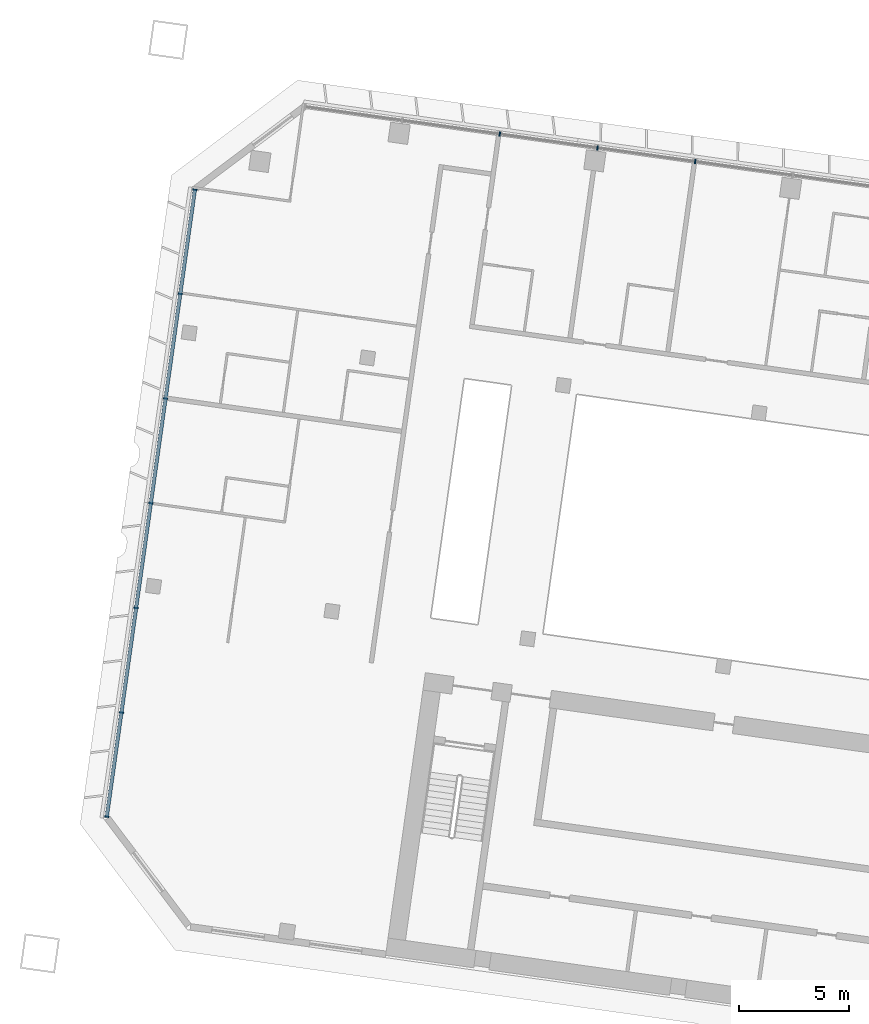
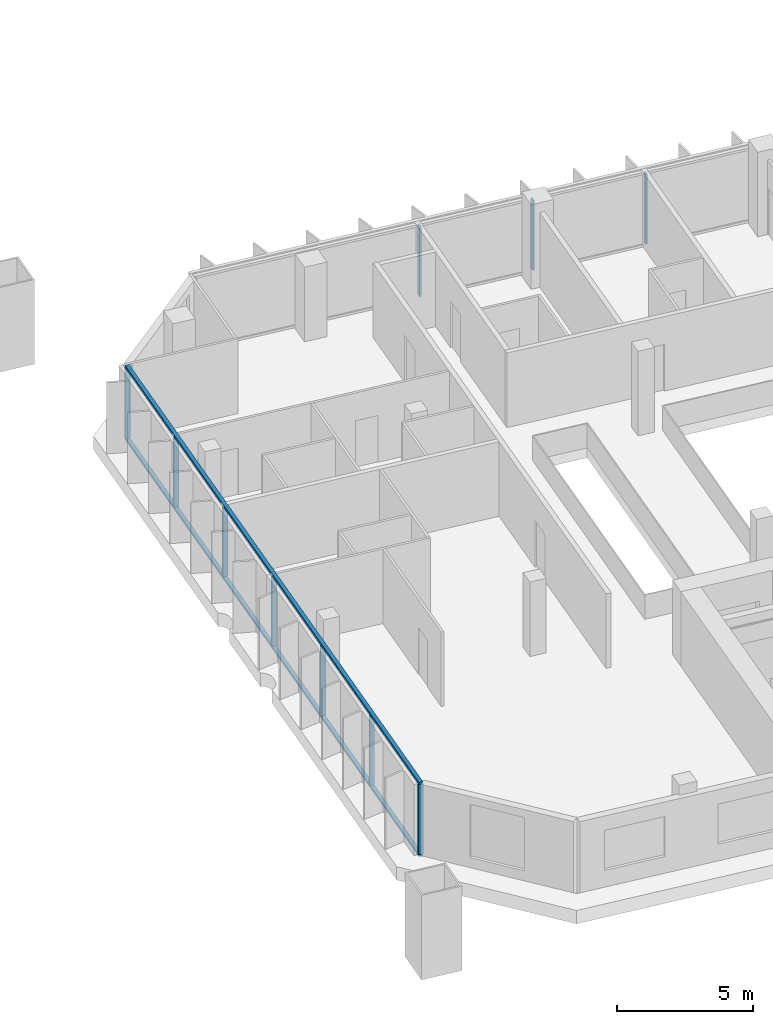
# One storey, part 2 of 26: 12 members, 2 elements without a shape of their own.
"""IFC4 building model written with IfcOpenShell, lengths in metres."""

from ifc_helpers import new_model, si_unit, direction, frame, origin, origin_2d, place, context, subcontext, project, spatial, rectangle, extrude, material, material_profile, profile_set, type_object, element, aggregate, save


model = new_model("IFC4")

# Units and contexts
model_context = context("Model", 3, precision=1e-05, world=origin(), true_north=direction((0.0, 1.0)))
body_context = subcontext(model_context, "Body", "Model", "MODEL_VIEW")
ifc_project = project(units=[si_unit("LENGTHUNIT", "METRE"), si_unit("AREAUNIT", "SQUARE_METRE"), si_unit("VOLUMEUNIT", "CUBIC_METRE"), si_unit("PLANEANGLEUNIT", "RADIAN"), si_unit("MASSUNIT", "GRAM", prefix="KILO")], contexts=[model_context])

# Site, building, storey
site_placement = place(None, origin())
site = spatial("IfcSite", under=ifc_project, at=site_placement, CompositionType="ELEMENT")
building_placement = place(site_placement, origin())
building = spatial("IfcBuilding", under=site, at=building_placement, Name="Mirante Cascada Hotel Towers", CompositionType="ELEMENT")
storey_placement = place(building_placement, frame((0.0, 0.0, 144.3)))
storey = spatial("IfcBuildingStorey", under=building, at=storey_placement, Name="L33", CompositionType="ELEMENT", Elevation=144.3)

# Curtain wall, members
ifc_material_1 = material(Name="Aluminium mullion and transom frame with clear laminated glass", Category="aluminium")
curtain_wall_type_1 = type_object("IfcCurtainWallType", Name="Ribbon curtain wall ECW1", PredefinedType="NOTDEFINED", material=ifc_material_1)
curtain_wall_1_placement = place(storey_placement, origin())
curtain_wall_1 = element("IfcCurtainWall", 1, at=curtain_wall_1_placement, inside=storey, type_object=curtain_wall_type_1, Name="Front ribbon wall T1 L33", PredefinedType="NOTDEFINED")
ifc_material_2 = material(Name="Anodised aluminium extrusion", Category="aluminium")
ifc_material_profile_1 = material_profile(ifc_material_2, rectangle(XDim=0.2, YDim=0.065, at=origin_2d()), Name="ECW1 MULLION 65x200")
ifc_profile_set_1 = profile_set([ifc_material_profile_1], Name="Anodised aluminium extrusion")
member_type_1 = type_object("IfcMemberType", Name="ECW1 mullion 65x200", PredefinedType="MULLION", material=ifc_profile_set_1)
member_1_placement = place(storey_placement, frame((-85.2633, 24.802, 0.1), z_axis=(0.0, 0.0, 1.0), x_axis=(0.1391731, 0.9902681, 0.0)))
member_1 = element("IfcMember", 2, at=member_1_placement, type_object=member_type_1, Name="ECW1 mullion 3", PredefinedType="MULLION", context=body_context, shape_type="SweptSolid", body=[
    extrude(rectangle(XDim=0.2, YDim=0.065, at=origin_2d()), origin(), (0.0, 0.0, 1.0), 3.15),
])
member_2_placement = place(storey_placement, frame((-80.8159, 24.177, 0.1), z_axis=(0.0, 0.0, 1.0), x_axis=(0.1391731, 0.9902681, 0.0)))
member_2 = element("IfcMember", 3, at=member_2_placement, type_object=member_type_1, Name="ECW1 mullion 4", PredefinedType="MULLION", context=body_context, shape_type="SweptSolid", body=[
    extrude(rectangle(XDim=0.2, YDim=0.065, at=origin_2d()), origin(), (0.0, 0.0, 1.0), 3.15),
])
member_3_placement = place(storey_placement, frame((-76.3685, 23.5519, 0.1), z_axis=(0.0, 0.0, 1.0), x_axis=(0.1391731, 0.9902681, 0.0)))
member_3 = element("IfcMember", 4, at=member_3_placement, type_object=member_type_1, Name="ECW1 mullion 5", PredefinedType="MULLION", context=body_context, shape_type="SweptSolid", body=[
    extrude(rectangle(XDim=0.2, YDim=0.065, at=origin_2d()), origin(), (0.0, 0.0, 1.0), 3.15),
])
aggregate(curtain_wall_1, [member_1, member_2, member_3])

ifc_material_3 = material(Name="Aluminium mullion and transom frame with clear laminated glass", Category="aluminium")
curtain_wall_type_2 = type_object("IfcCurtainWallType", Name="End ribbon curtain wall ECW2", PredefinedType="NOTDEFINED", material=ifc_material_3)
curtain_wall_2_placement = place(storey_placement, origin())
curtain_wall_2 = element("IfcCurtainWall", 5, at=curtain_wall_2_placement, inside=storey, type_object=curtain_wall_type_2, Name="Outer end wall T1 L33", PredefinedType="NOTDEFINED")
ifc_material_4 = material(Name="Anodised aluminium extrusion", Category="aluminium")
ifc_material_profile_2 = material_profile(ifc_material_4, rectangle(XDim=0.2, YDim=0.065, at=origin_2d()), Name="ECW2 MULLION 65x200")
ifc_profile_set_2 = profile_set([ifc_material_profile_2], Name="Anodised aluminium extrusion")
member_type_2 = type_object("IfcMemberType", Name="ECW2 mullion 65x200", PredefinedType="MULLION", material=ifc_profile_set_2)
member_4_placement = place(storey_placement, frame((-103.1556, -6.2656, 0.1), z_axis=(0.0, 0.0, 1.0), x_axis=(-0.9902681, 0.1391731, 0.0)))
member_4 = element("IfcMember", 6, at=member_4_placement, type_object=member_type_2, Name="ECW2 mullion 1", PredefinedType="MULLION", context=body_context, shape_type="SweptSolid", body=[
    extrude(rectangle(XDim=0.2, YDim=0.065, at=origin_2d()), origin(), (0.0, 0.0, 1.0), 3.15),
])
member_5_placement = place(storey_placement, frame((-102.4903, -1.532, 0.1), z_axis=(0.0, 0.0, 1.0), x_axis=(-0.9902681, 0.1391731, 0.0)))
member_5 = element("IfcMember", 7, at=member_5_placement, type_object=member_type_2, Name="ECW2 mullion 2", PredefinedType="MULLION", context=body_context, shape_type="SweptSolid", body=[
    extrude(rectangle(XDim=0.2, YDim=0.065, at=origin_2d()), origin(), (0.0, 0.0, 1.0), 3.15),
])
member_6_placement = place(storey_placement, frame((-101.8205, 3.2338, 0.1), z_axis=(0.0, 0.0, 1.0), x_axis=(-0.9902681, 0.1391731, 0.0)))
member_6 = element("IfcMember", 8, at=member_6_placement, type_object=member_type_2, Name="ECW2 mullion 3", PredefinedType="MULLION", context=body_context, shape_type="SweptSolid", body=[
    extrude(rectangle(XDim=0.2, YDim=0.065, at=origin_2d()), origin(), (0.0, 0.0, 1.0), 3.15),
])
member_7_placement = place(storey_placement, frame((-101.1508, 7.9996, 0.1), z_axis=(0.0, 0.0, 1.0), x_axis=(-0.9902681, 0.1391731, 0.0)))
member_7 = element("IfcMember", 9, at=member_7_placement, type_object=member_type_2, Name="ECW2 mullion 4", PredefinedType="MULLION", context=body_context, shape_type="SweptSolid", body=[
    extrude(rectangle(XDim=0.2, YDim=0.065, at=origin_2d()), origin(), (0.0, 0.0, 1.0), 3.15),
])
member_8_placement = place(storey_placement, frame((-100.481, 12.7654, 0.1), z_axis=(0.0, 0.0, 1.0), x_axis=(-0.9902681, 0.1391731, 0.0)))
member_8 = element("IfcMember", 10, at=member_8_placement, type_object=member_type_2, Name="ECW2 mullion 5", PredefinedType="MULLION", context=body_context, shape_type="SweptSolid", body=[
    extrude(rectangle(XDim=0.2, YDim=0.065, at=origin_2d()), origin(), (0.0, 0.0, 1.0), 3.15),
])
member_9_placement = place(storey_placement, frame((-99.8112, 17.5312, 0.1), z_axis=(0.0, 0.0, 1.0), x_axis=(-0.9902681, 0.1391731, 0.0)))
member_9 = element("IfcMember", 11, at=member_9_placement, type_object=member_type_2, Name="ECW2 mullion 6", PredefinedType="MULLION", context=body_context, shape_type="SweptSolid", body=[
    extrude(rectangle(XDim=0.2, YDim=0.065, at=origin_2d()), origin(), (0.0, 0.0, 1.0), 3.15),
])
member_10_placement = place(storey_placement, frame((-99.1459, 22.2648, 0.1), z_axis=(0.0, 0.0, 1.0), x_axis=(-0.9902681, 0.1391731, 0.0)))
member_10 = element("IfcMember", 12, at=member_10_placement, type_object=member_type_2, Name="ECW2 mullion 7", PredefinedType="MULLION", context=body_context, shape_type="SweptSolid", body=[
    extrude(rectangle(XDim=0.2, YDim=0.065, at=origin_2d()), origin(), (0.0, 0.0, 1.0), 3.15),
])
ifc_material_5 = material(Name="Anodised aluminium extrusion", Category="aluminium")
ifc_material_profile_3 = material_profile(ifc_material_5, rectangle(XDim=0.16, YDim=0.1, at=origin_2d()), Name="ECW2 TRANSOM 100x160")
ifc_profile_set_3 = profile_set([ifc_material_profile_3], Name="Anodised aluminium extrusion")
member_type_3 = type_object("IfcMemberType", Name="ECW2 transom 100x160", PredefinedType="USERDEFINED", material=ifc_profile_set_3)
member_11_placement = place(storey_placement, frame((-103.1601, -6.2978, 0.05), z_axis=(0.1391723, 0.9902682, 0.0), x_axis=(-0.9902682, 0.1391723, 0.0)))
member_11 = element("IfcMember", 13, at=member_11_placement, type_object=member_type_3, Name="ECW2 sill transom", ObjectType="TRANSOM", PredefinedType="USERDEFINED", context=body_context, shape_type="SweptSolid", body=[
    extrude(rectangle(XDim=0.16, YDim=0.1, at=origin_2d()), origin(), (0.0, 0.0, 1.0), 28.8757),
])
member_12_placement = place(storey_placement, frame((-103.1601, -6.2978, 3.3), z_axis=(0.1391723, 0.9902682, 0.0), x_axis=(-0.9902682, 0.1391723, 0.0)))
member_12 = element("IfcMember", 14, at=member_12_placement, type_object=member_type_3, Name="ECW2 head transom", ObjectType="TRANSOM", PredefinedType="USERDEFINED", context=body_context, shape_type="SweptSolid", body=[
    extrude(rectangle(XDim=0.16, YDim=0.1, at=origin_2d()), origin(), (0.0, 0.0, 1.0), 28.8757),
])
aggregate(curtain_wall_2, [member_11, member_12, member_4, member_5, member_6, member_7, member_8, member_9, member_10])

save(model, "model.ifc")
